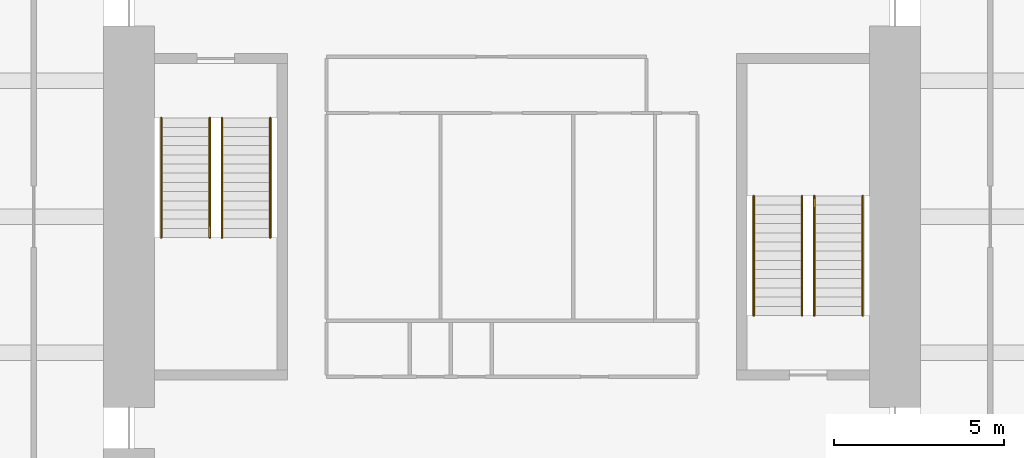
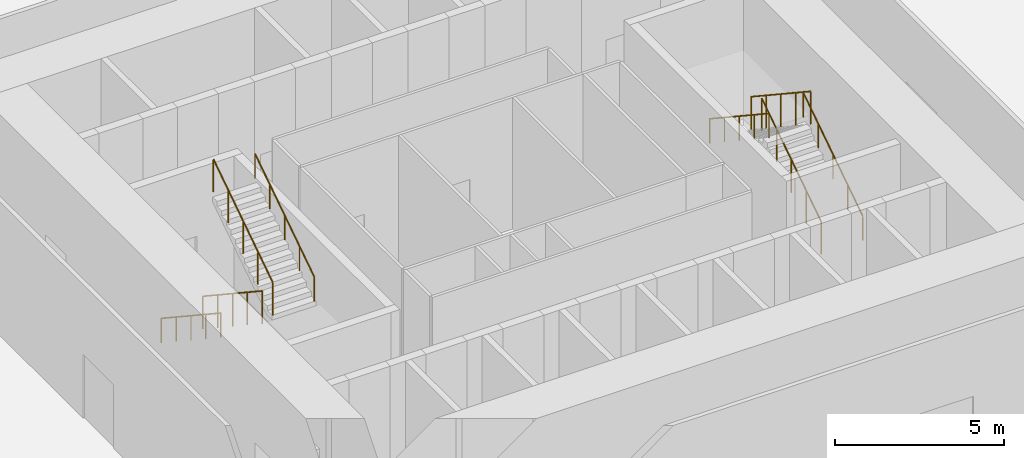
# One storey, part 6 of 6: 8 railings.
"""IFC4 building model written with IfcOpenShell, lengths in metres."""

from ifc_helpers import new_model, si_unit, direction, frame, origin, origin_2d, place, context, subcontext, project, spatial, circle, extrude, material, type_object, element, save


model = new_model("IFC4")

# Units and contexts
model_context = context("Model", 3, precision=1e-05, world=origin(), true_north=direction((0.0, 1.0)))
body_context = subcontext(model_context, "Body", "Model", "MODEL_VIEW")
ifc_project = project(units=[si_unit("LENGTHUNIT", "METRE"), si_unit("AREAUNIT", "SQUARE_METRE"), si_unit("VOLUMEUNIT", "CUBIC_METRE"), si_unit("PLANEANGLEUNIT", "RADIAN"), si_unit("MASSUNIT", "GRAM", prefix="KILO")], contexts=[model_context])

# Site, building, storey
site_placement = place(None, origin())
site = spatial("IfcSite", under=ifc_project, at=site_placement, CompositionType="ELEMENT")
building_placement = place(site_placement, origin())
building = spatial("IfcBuilding", under=site, at=building_placement, Name="Peilmerk Tower", CompositionType="ELEMENT")
storey_placement = place(building_placement, frame((0.0, 0.0, 196.800048828125)))
storey = spatial("IfcBuildingStorey", under=building, at=storey_placement, Name="L42", CompositionType="ELEMENT", Elevation=196.800048828125)

# Railings
ifc_material_1 = material(Name="Steel flat bar balustrade", Category="steel")
railing_type_1 = type_object("IfcRailingType", Name="GR1 1200 stair guard", PredefinedType="GUARDRAIL", material=ifc_material_1)
railing_1_placement = place(storey_placement, frame((-8.8798828125, 2.89990234375, 0.178466796875)))
element("IfcRailing", 1, at=railing_1_placement, inside=storey, type_object=railing_type_1, Name="Guard stair 1 L42", PredefinedType="GUARDRAIL", context=body_context, shape_type="SweptSolid", body=[
    extrude(circle(Radius=0.02392578125, at=origin_2d()), frame((0.0, 0.0, 1.17578125), z_axis=(0.0, -0.834070780157, 0.551657442339), x_axis=(1.0, 0.0, 0.0)), (0.0, 0.0, 1.0), 4.208251953125),
    extrude(circle(Radius=0.02099609375, at=origin_2d()), origin(), (0.0, 0.0, 1.0), 1.15185546875),
    extrude(circle(Radius=0.02099609375, at=origin_2d()), frame((0.0, -0.87744140625, 0.580322265625)), (0.0, 0.0, 1.0), 1.15185546875),
    extrude(circle(Radius=0.02099609375, at=origin_2d()), frame((0.0, -1.7548828125, 1.16064453125)), (0.0, 0.0, 1.0), 1.15185546875),
    extrude(circle(Radius=0.02099609375, at=origin_2d()), frame((0.0, -2.632568359375, 1.7412109375)), (0.0, 0.0, 1.0), 1.15185546875),
    extrude(circle(Radius=0.02099609375, at=origin_2d()), frame((0.0, -3.510009765625, 2.321533203125)), (0.0, 0.0, 1.0), 1.15185546875),
])
for number, where, name in (
    (2, (-8.52001953125, -0.610107421875, 2.678466796875), "Guard stair 1 L42"),
    (3, (8.8798828125, -2.89990234375, 0.178466796875), "Guard stair 2 L42"),
):
    element("IfcRailing", number, at=place(storey_placement, frame(where)), inside=storey, type_object=railing_type_1, Name=name, PredefinedType="GUARDRAIL", context=body_context, shape_type="SweptSolid", body=[
        extrude(circle(Radius=0.02392578125, at=origin_2d()), frame((0.0, 0.0, 1.17578125), z_axis=(0.0, 0.834070780157, 0.551657442339), x_axis=(-1.0, 0.0, 0.0)), (0.0, 0.0, 1.0), 4.208251953125),
        extrude(circle(Radius=0.02099609375, at=origin_2d()), origin(), (0.0, 0.0, 1.0), 1.15185546875),
        extrude(circle(Radius=0.02099609375, at=origin_2d()), frame((0.0, 0.87744140625, 0.580322265625)), (0.0, 0.0, 1.0), 1.15185546875),
        extrude(circle(Radius=0.02099609375, at=origin_2d()), frame((0.0, 1.7548828125, 1.16064453125)), (0.0, 0.0, 1.0), 1.15185546875),
        extrude(circle(Radius=0.02099609375, at=origin_2d()), frame((0.0, 2.632568359375, 1.7412109375)), (0.0, 0.0, 1.0), 1.15185546875),
        extrude(circle(Radius=0.02099609375, at=origin_2d()), frame((0.0, 3.510009765625, 2.321533203125)), (0.0, 0.0, 1.0), 1.15185546875),
    ])
railing_2_placement = place(storey_placement, frame((8.52001953125, 0.610107421875, 2.678466796875)))
element("IfcRailing", 4, at=railing_2_placement, inside=storey, type_object=railing_type_1, Name="Guard stair 2 L42", PredefinedType="GUARDRAIL", context=body_context, shape_type="SweptSolid", body=[
    extrude(circle(Radius=0.02392578125, at=origin_2d()), frame((0.0, 0.0, 1.17578125), z_axis=(0.0, -0.834070780157, 0.551657442339), x_axis=(1.0, 0.0, 0.0)), (0.0, 0.0, 1.0), 4.208251953125),
    extrude(circle(Radius=0.02099609375, at=origin_2d()), origin(), (0.0, 0.0, 1.0), 1.15185546875),
    extrude(circle(Radius=0.02099609375, at=origin_2d()), frame((0.0, -0.87744140625, 0.580322265625)), (0.0, 0.0, 1.0), 1.15185546875),
    extrude(circle(Radius=0.02099609375, at=origin_2d()), frame((0.0, -1.7548828125, 1.16064453125)), (0.0, 0.0, 1.0), 1.15185546875),
    extrude(circle(Radius=0.02099609375, at=origin_2d()), frame((0.0, -2.632568359375, 1.7412109375)), (0.0, 0.0, 1.0), 1.15185546875),
    extrude(circle(Radius=0.02099609375, at=origin_2d()), frame((0.0, -3.510009765625, 2.321533203125)), (0.0, 0.0, 1.0), 1.15185546875),
])
ifc_material_2 = material(Name="Stainless steel tube", Category="steel")
railing_type_2 = type_object("IfcRailingType", Name="HR1 900 stair handrail", PredefinedType="HANDRAIL", material=ifc_material_2)
railing_3_placement = place(storey_placement, frame((-10.300048828125, 2.89990234375, 0.178466796875)))
element("IfcRailing", 5, at=railing_3_placement, inside=storey, type_object=railing_type_2, Name="Handrail stair 1 L42", PredefinedType="HANDRAIL", context=body_context, shape_type="SweptSolid", body=[
    extrude(circle(Radius=0.02392578125, at=origin_2d()), frame((0.0, 0.0, 0.8759765625), z_axis=(0.0, -0.834070780157, 0.551657442339), x_axis=(1.0, 0.0, 0.0)), (0.0, 0.0, 1.0), 4.208251953125),
    extrude(circle(Radius=0.02099609375, at=origin_2d()), origin(), (0.0, 0.0, 1.0), 0.851806640625),
    extrude(circle(Radius=0.02099609375, at=origin_2d()), frame((0.0, -0.87744140625, 0.580322265625)), (0.0, 0.0, 1.0), 0.851806640625),
    extrude(circle(Radius=0.02099609375, at=origin_2d()), frame((0.0, -1.7548828125, 1.16064453125)), (0.0, 0.0, 1.0), 0.851806640625),
    extrude(circle(Radius=0.02099609375, at=origin_2d()), frame((0.0, -2.632568359375, 1.7412109375)), (0.0, 0.0, 1.0), 0.851806640625),
    extrude(circle(Radius=0.02099609375, at=origin_2d()), frame((0.0, -3.510009765625, 2.321533203125)), (0.0, 0.0, 1.0), 0.851806640625),
])
for number, where, name in (
    (6, (-7.10009765625, -0.610107421875, 2.678466796875), "Handrail stair 1 L42"),
    (7, (10.300048828125, -2.89990234375, 0.178466796875), "Handrail stair 2 L42"),
):
    element("IfcRailing", number, at=place(storey_placement, frame(where)), inside=storey, type_object=railing_type_2, Name=name, PredefinedType="HANDRAIL", context=body_context, shape_type="SweptSolid", body=[
        extrude(circle(Radius=0.02392578125, at=origin_2d()), frame((0.0, 0.0, 0.8759765625), z_axis=(0.0, 0.834070780157, 0.551657442339), x_axis=(-1.0, 0.0, 0.0)), (0.0, 0.0, 1.0), 4.208251953125),
        extrude(circle(Radius=0.02099609375, at=origin_2d()), origin(), (0.0, 0.0, 1.0), 0.851806640625),
        extrude(circle(Radius=0.02099609375, at=origin_2d()), frame((0.0, 0.87744140625, 0.580322265625)), (0.0, 0.0, 1.0), 0.851806640625),
        extrude(circle(Radius=0.02099609375, at=origin_2d()), frame((0.0, 1.7548828125, 1.16064453125)), (0.0, 0.0, 1.0), 0.851806640625),
        extrude(circle(Radius=0.02099609375, at=origin_2d()), frame((0.0, 2.632568359375, 1.7412109375)), (0.0, 0.0, 1.0), 0.851806640625),
        extrude(circle(Radius=0.02099609375, at=origin_2d()), frame((0.0, 3.510009765625, 2.321533203125)), (0.0, 0.0, 1.0), 0.851806640625),
    ])
railing_4_placement = place(storey_placement, frame((7.10009765625, 0.610107421875, 2.678466796875)))
element("IfcRailing", 8, at=railing_4_placement, inside=storey, type_object=railing_type_2, Name="Handrail stair 2 L42", PredefinedType="HANDRAIL", context=body_context, shape_type="SweptSolid", body=[
    extrude(circle(Radius=0.02392578125, at=origin_2d()), frame((0.0, 0.0, 0.8759765625), z_axis=(0.0, -0.834070780157, 0.551657442339), x_axis=(1.0, 0.0, 0.0)), (0.0, 0.0, 1.0), 4.208251953125),
    extrude(circle(Radius=0.02099609375, at=origin_2d()), origin(), (0.0, 0.0, 1.0), 0.851806640625),
    extrude(circle(Radius=0.02099609375, at=origin_2d()), frame((0.0, -0.87744140625, 0.580322265625)), (0.0, 0.0, 1.0), 0.851806640625),
    extrude(circle(Radius=0.02099609375, at=origin_2d()), frame((0.0, -1.7548828125, 1.16064453125)), (0.0, 0.0, 1.0), 0.851806640625),
    extrude(circle(Radius=0.02099609375, at=origin_2d()), frame((0.0, -2.632568359375, 1.7412109375)), (0.0, 0.0, 1.0), 0.851806640625),
    extrude(circle(Radius=0.02099609375, at=origin_2d()), frame((0.0, -3.510009765625, 2.321533203125)), (0.0, 0.0, 1.0), 0.851806640625),
])

save(model, "model.ifc")
